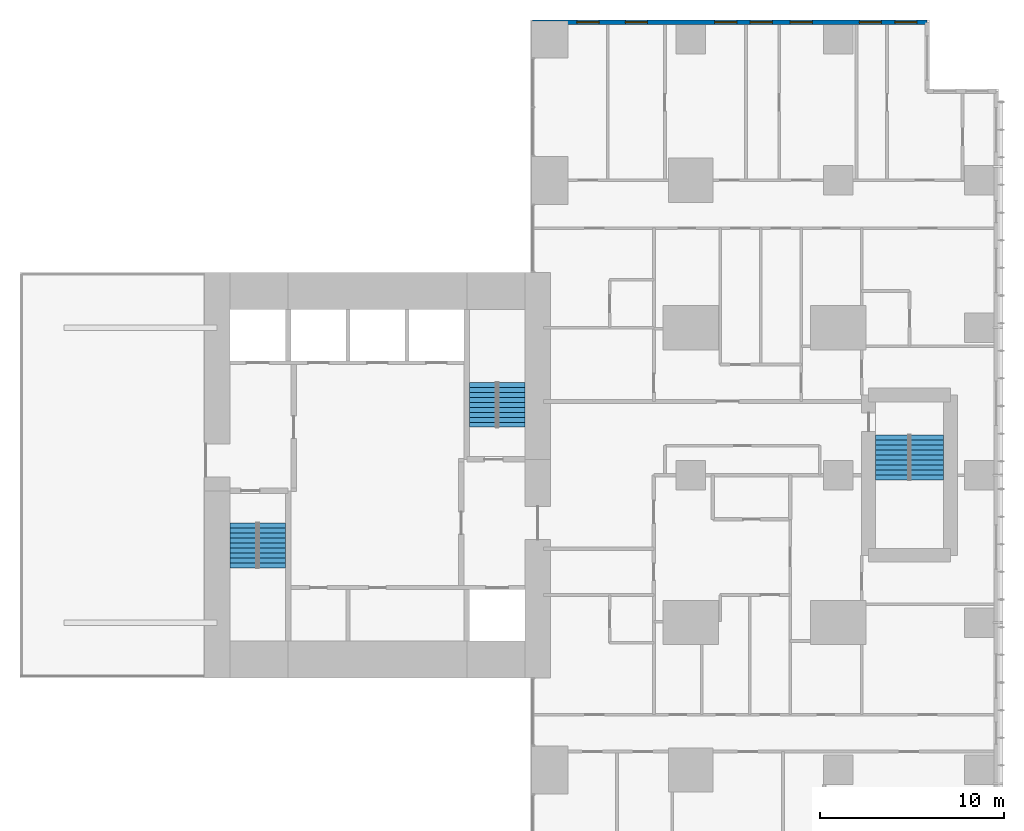
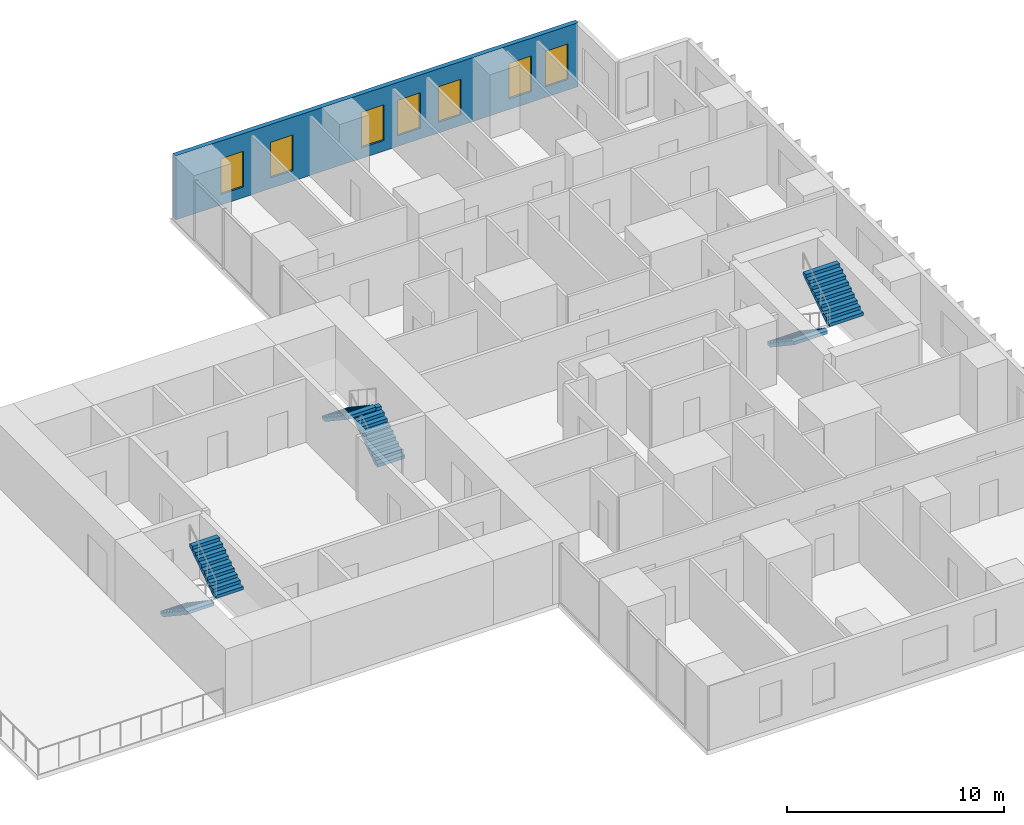
# One storey, part 13 of 14: 7 windows, 6 stair flights, 1 wall, 7 openings, 3 elements without a shape of their own.
"""IFC4 building model written with IfcOpenShell, lengths in metres."""

from ifc_helpers import new_model, si_unit, direction, frame, frame_2d, origin, place, context, subcontext, project, spatial, polyline, rectangle, outline, extrude, material, layer, layer_set, type_object, element, fill, aggregate, save


model = new_model("IFC4")

# Units and contexts
model_context = context("Model", 3, precision=1e-05, world=origin(), true_north=direction((0.0, 1.0)))
body_context = subcontext(model_context, "Body", "Model", "MODEL_VIEW")
ifc_project = project(units=[si_unit("LENGTHUNIT", "METRE"), si_unit("AREAUNIT", "SQUARE_METRE"), si_unit("VOLUMEUNIT", "CUBIC_METRE"), si_unit("PLANEANGLEUNIT", "RADIAN"), si_unit("MASSUNIT", "GRAM", prefix="KILO")], contexts=[model_context])

# Site, building, storey
site_placement = place(None, origin())
site = spatial("IfcSite", under=ifc_project, at=site_placement, CompositionType="ELEMENT")
building_placement = place(site_placement, origin())
building = spatial("IfcBuilding", under=site, at=building_placement, Name="Cleftline Residences", CompositionType="ELEMENT")
storey_placement = place(building_placement, frame((0.0, 0.0, 230.39990234375)))
storey = spatial("IfcBuildingStorey", under=building, at=storey_placement, Name="L60", CompositionType="ELEMENT", Elevation=230.39990234375)

# Wall, openings, windows
ifc_material_1 = material(Name="Rendered reinforced concrete blockwork", Category="masonry")
ifc_layer = layer(ifc_material_1, 0.25)
ifc_layer_set = layer_set([ifc_layer], Name="EXTERNAL WALL 250")
wall_type = type_object("IfcWallType", Name="EXTERNAL WALL 250", PredefinedType="SOLIDWALL", material=ifc_layer_set)
wall_placement = place(storey_placement, frame((62.824951171875, 48.574951171875, 0.0), z_axis=(0.0, 0.0, 1.0), x_axis=(-1.0, 0.0, 0.0)))
wall = element("IfcWall", 1, at=wall_placement, inside=storey, type_object=wall_type, Name="External wall", PredefinedType="SOLIDWALL", context=body_context, shape_type="SweptSolid", body=[
    extrude(rectangle(XDim=21.39990234375, YDim=0.25, at=frame_2d((10.699951171875, 0.0))), origin(), (0.0, 0.0, 1.0), 3.60009765625),
])
opening_1_placement = place(wall_placement, frame((0.550048828125, 0.0, 0.60009765625)))
opening_1 = element("IfcOpeningElement", 2, at=opening_1_placement, cuts=wall, Name="Opening W8", PredefinedType="OPENING", context=body_context, shape_type="SweptSolid", body=[
    extrude(rectangle(XDim=1.199951171875, YDim=2.0, at=frame_2d((0.60009765625, 1.0))), frame((0.0, 0.135009765625, 0.0), z_axis=(0.0, -1.0, 0.0), x_axis=(1.0, 0.0, 0.0)), (0.0, 0.0, 1.0), 0.27001953125),
])
opening_2_placement = place(wall_placement, frame((2.47509765625, 0.0, 0.60009765625)))
opening_2 = element("IfcOpeningElement", 3, at=opening_2_placement, cuts=wall, Name="Opening W8", PredefinedType="OPENING", context=body_context, shape_type="SweptSolid", body=[
    extrude(rectangle(XDim=1.199951171875, YDim=2.0, at=frame_2d((0.60009765625, 1.0))), frame((0.0, 0.135009765625, 0.0), z_axis=(0.0, -1.0, 0.0), x_axis=(1.0, 0.0, 0.0)), (0.0, 0.0, 1.0), 0.27001953125),
])
opening_3_placement = place(wall_placement, frame((6.22509765625, 0.0, 0.60009765625)))
opening_3 = element("IfcOpeningElement", 4, at=opening_3_placement, cuts=wall, Name="Opening W8", PredefinedType="OPENING", context=body_context, shape_type="SweptSolid", body=[
    extrude(rectangle(XDim=1.199951171875, YDim=2.0, at=frame_2d((0.60009765625, 1.0))), frame((0.0, 0.135009765625, 0.0), z_axis=(0.0, -1.0, 0.0), x_axis=(1.0, 0.0, 0.0)), (0.0, 0.0, 1.0), 0.27001953125),
])
opening_4_placement = place(wall_placement, frame((8.39990234375, 0.0, 0.60009765625)))
opening_4 = element("IfcOpeningElement", 5, at=opening_4_placement, cuts=wall, Name="Opening W8", PredefinedType="OPENING", context=body_context, shape_type="SweptSolid", body=[
    extrude(rectangle(XDim=1.199951171875, YDim=2.0, at=frame_2d((0.60009765625, 1.0))), frame((0.0, 0.135009765625, 0.0), z_axis=(0.0, -1.0, 0.0), x_axis=(1.0, 0.0, 0.0)), (0.0, 0.0, 1.0), 0.27001953125),
])
opening_5_placement = place(wall_placement, frame((10.324951171875, 0.0, 0.60009765625)))
opening_5 = element("IfcOpeningElement", 6, at=opening_5_placement, cuts=wall, Name="Opening W8", PredefinedType="OPENING", context=body_context, shape_type="SweptSolid", body=[
    extrude(rectangle(XDim=1.199951171875, YDim=2.0, at=frame_2d((0.60009765625, 1.0))), frame((0.0, 0.135009765625, 0.0), z_axis=(0.0, -1.0, 0.0), x_axis=(1.0, 0.0, 0.0)), (0.0, 0.0, 1.0), 0.27001953125),
])
opening_6_placement = place(wall_placement, frame((15.175048828125, 0.0, 0.60009765625)))
opening_6 = element("IfcOpeningElement", 7, at=opening_6_placement, cuts=wall, Name="Opening W8", PredefinedType="OPENING", context=body_context, shape_type="SweptSolid", body=[
    extrude(rectangle(XDim=1.199951171875, YDim=2.0, at=frame_2d((0.60009765625, 1.0))), frame((0.0, 0.135009765625, 0.0), z_axis=(0.0, -1.0, 0.0), x_axis=(1.0, 0.0, 0.0)), (0.0, 0.0, 1.0), 0.27001953125),
])
opening_7_placement = place(wall_placement, frame((17.800048828125, 0.0, 0.60009765625)))
opening_7 = element("IfcOpeningElement", 8, at=opening_7_placement, cuts=wall, Name="Opening W8", PredefinedType="OPENING", context=body_context, shape_type="SweptSolid", body=[
    extrude(rectangle(XDim=1.199951171875, YDim=2.0, at=frame_2d((0.60009765625, 1.0))), frame((0.0, 0.135009765625, 0.0), z_axis=(0.0, -1.0, 0.0), x_axis=(1.0, 0.0, 0.0)), (0.0, 0.0, 1.0), 0.27001953125),
])
ifc_material_2 = material(Name="Aluminium frame, clear double glazing", Category="aluminium")
window_type = type_object("IfcWindowType", Name="WINDOW 1200X2000", PartitioningType="DOUBLE_PANEL_VERTICAL", PredefinedType="WINDOW", material=ifc_material_2)
window_1_placement = place(opening_1_placement, origin())
window_1 = element("IfcWindow", 9, at=window_1_placement, inside=storey, type_object=window_type, Name="Window", OverallHeight=2.0, OverallWidth=1.199951171875, PartitioningType="SINGLE_PANEL", PredefinedType="WINDOW", context=body_context, shape_type="SweptSolid", body=[
    extrude(rectangle(XDim=1.199951171875, YDim=2.0, at=frame_2d((0.60009765625, 1.0))), frame((0.0, 0.030029296875, 0.0), z_axis=(0.0, -1.0, 0.0), x_axis=(1.0, 0.0, 0.0)), (0.0, 0.0, 1.0), 0.06005859375),
])
fill(opening_1, window_1)
window_2_placement = place(opening_2_placement, origin())
window_2 = element("IfcWindow", 10, at=window_2_placement, inside=storey, type_object=window_type, Name="Window", OverallHeight=2.0, OverallWidth=1.199951171875, PartitioningType="SINGLE_PANEL", PredefinedType="WINDOW", context=body_context, shape_type="SweptSolid", body=[
    extrude(rectangle(XDim=1.199951171875, YDim=2.0, at=frame_2d((0.60009765625, 1.0))), frame((0.0, 0.030029296875, 0.0), z_axis=(0.0, -1.0, 0.0), x_axis=(1.0, 0.0, 0.0)), (0.0, 0.0, 1.0), 0.06005859375),
])
fill(opening_2, window_2)
window_3_placement = place(opening_3_placement, origin())
window_3 = element("IfcWindow", 11, at=window_3_placement, inside=storey, type_object=window_type, Name="Window", OverallHeight=2.0, OverallWidth=1.199951171875, PartitioningType="SINGLE_PANEL", PredefinedType="WINDOW", context=body_context, shape_type="SweptSolid", body=[
    extrude(rectangle(XDim=1.199951171875, YDim=2.0, at=frame_2d((0.60009765625, 1.0))), frame((0.0, 0.030029296875, 0.0), z_axis=(0.0, -1.0, 0.0), x_axis=(1.0, 0.0, 0.0)), (0.0, 0.0, 1.0), 0.06005859375),
])
fill(opening_3, window_3)
window_4_placement = place(opening_4_placement, origin())
window_4 = element("IfcWindow", 12, at=window_4_placement, inside=storey, type_object=window_type, Name="Window", OverallHeight=2.0, OverallWidth=1.199951171875, PartitioningType="SINGLE_PANEL", PredefinedType="WINDOW", context=body_context, shape_type="SweptSolid", body=[
    extrude(rectangle(XDim=1.199951171875, YDim=2.0, at=frame_2d((0.60009765625, 1.0))), frame((0.0, 0.030029296875, 0.0), z_axis=(0.0, -1.0, 0.0), x_axis=(1.0, 0.0, 0.0)), (0.0, 0.0, 1.0), 0.06005859375),
])
fill(opening_4, window_4)
window_5_placement = place(opening_5_placement, origin())
window_5 = element("IfcWindow", 13, at=window_5_placement, inside=storey, type_object=window_type, Name="Window", OverallHeight=2.0, OverallWidth=1.199951171875, PartitioningType="SINGLE_PANEL", PredefinedType="WINDOW", context=body_context, shape_type="SweptSolid", body=[
    extrude(rectangle(XDim=1.199951171875, YDim=2.0, at=frame_2d((0.60009765625, 1.0))), frame((0.0, 0.030029296875, 0.0), z_axis=(0.0, -1.0, 0.0), x_axis=(1.0, 0.0, 0.0)), (0.0, 0.0, 1.0), 0.06005859375),
])
fill(opening_5, window_5)
window_6_placement = place(opening_6_placement, origin())
window_6 = element("IfcWindow", 14, at=window_6_placement, inside=storey, type_object=window_type, Name="Window", OverallHeight=2.0, OverallWidth=1.199951171875, PartitioningType="SINGLE_PANEL", PredefinedType="WINDOW", context=body_context, shape_type="SweptSolid", body=[
    extrude(rectangle(XDim=1.199951171875, YDim=2.0, at=frame_2d((0.60009765625, 1.0))), frame((0.0, 0.030029296875, 0.0), z_axis=(0.0, -1.0, 0.0), x_axis=(1.0, 0.0, 0.0)), (0.0, 0.0, 1.0), 0.06005859375),
])
fill(opening_6, window_6)
window_7_placement = place(opening_7_placement, origin())
window_7 = element("IfcWindow", 15, at=window_7_placement, inside=storey, type_object=window_type, Name="Window", OverallHeight=2.0, OverallWidth=1.199951171875, PartitioningType="SINGLE_PANEL", PredefinedType="WINDOW", context=body_context, shape_type="SweptSolid", body=[
    extrude(rectangle(XDim=1.199951171875, YDim=2.0, at=frame_2d((0.60009765625, 1.0))), frame((0.0, 0.030029296875, 0.0), z_axis=(0.0, -1.0, 0.0), x_axis=(1.0, 0.0, 0.0)), (0.0, 0.0, 1.0), 0.06005859375),
])
fill(opening_7, window_7)

# Stair, stair flights
ifc_material_3 = material(Name="Concrete B45, stone treads", Category="masonry")
stair_type_1 = type_object("IfcStairType", Name="STAIR A 1450 WIDE 180 RISER", PredefinedType="HALF_TURN_STAIR", material=ifc_material_3)
stair_1_placement = place(storey_placement, origin())
stair_1 = element("IfcStair", 16, at=stair_1_placement, inside=storey, type_object=stair_type_1, Name="Stair A L60", PredefinedType="HALF_TURN_STAIR")
ifc_material_4 = material(Name="Concrete B45", Category="concrete")
stair_flight_type_1 = type_object("IfcStairFlightType", Name="STAIR A FLIGHT 1450X180", PredefinedType="STRAIGHT", material=ifc_material_4)
stair_flight_1_placement = place(storey_placement, frame((25.72509765625, 21.39990234375, 0.0), z_axis=(0.0, 0.0, 1.0), x_axis=(0.0, -1.0, 0.0)))
stair_flight_1 = element("IfcStairFlight", 17, at=stair_flight_1_placement, type_object=stair_flight_type_1, Name="ST-A flight 1", NumberOfRisers=10, NumberOfTreads=9, PredefinedType="STRAIGHT", RiserHeight=0.18, TreadLength=0.27, context=body_context, shape_type="SweptSolid", body=[
    extrude(outline(polyline([(0.0, 0.0), (0.0, 0.013916015625), (0.0, 0.027587890625), (0.0, 0.04150390625), (0.0, 0.055419921875), (0.0, 0.0693359375), (0.0, 0.0830078125), (0.0, 0.096923828125), (0.0, 0.11083984375), (0.0, 0.12451171875), (0.0, 0.138427734375), (0.0, 0.15234375), (0.0, 0.166259765625), (0.0, 0.179931640625), (0.27001953125, 0.179931640625), (0.27001953125, 0.360107421875), (0.5400390625, 0.360107421875), (0.5400390625, 0.5400390625), (0.81005859375, 0.5400390625), (0.81005859375, 0.719970703125), (1.080078125, 0.719970703125), (1.080078125, 0.89990234375), (1.35009765625, 0.89990234375), (1.35009765625, 1.080078125), (1.6201171875, 1.080078125), (1.6201171875, 1.260009765625), (1.889892578125, 1.260009765625), (1.889892578125, 1.43994140625), (2.159912109375, 1.43994140625), (2.159912109375, 1.6201171875), (2.429931640625, 1.6201171875), (2.429931640625, 1.800048828125), (2.429931640625, 1.772216796875), (2.429931640625, 1.74462890625), (2.429931640625, 1.716796875), (2.429931640625, 1.689208984375), (2.429931640625, 1.661376953125), (2.429931640625, 1.6337890625), (2.429931640625, 1.60595703125), (2.429931640625, 1.578369140625), (2.429931640625, 1.550537109375), (2.429931640625, 1.52294921875), (2.429931640625, 1.495361328125), (2.429931640625, 1.467529296875), (2.429931640625, 1.43994140625), (0.270263671875, 0.0), (0.0, 0.0)])), frame((0.0, 0.72509765625, 0.0), z_axis=(0.0, -1.0, 0.0), x_axis=(1.0, 0.0, 0.0)), (0.0, 0.0, 1.0), 1.449951171875),
])
stair_flight_2_placement = place(storey_placement, frame((27.27490234375, 18.969970703125, 1.800048828125), z_axis=(0.0, 0.0, 1.0), x_axis=(0.0, 1.0, 0.0)))
stair_flight_2 = element("IfcStairFlight", 18, at=stair_flight_2_placement, type_object=stair_flight_type_1, Name="ST-A flight 2", NumberOfRisers=10, NumberOfTreads=9, PredefinedType="STRAIGHT", RiserHeight=0.18, TreadLength=0.27, context=body_context, shape_type="SweptSolid", body=[
    extrude(outline(polyline([(0.0, 0.0), (0.0, 0.013916015625), (0.0, 0.027587890625), (0.0, 0.04150390625), (0.0, 0.055419921875), (0.0, 0.0693359375), (0.0, 0.0830078125), (0.0, 0.096923828125), (0.0, 0.11083984375), (0.0, 0.12451171875), (0.0, 0.138427734375), (0.0, 0.15234375), (0.0, 0.166259765625), (0.0, 0.179931640625), (0.27001953125, 0.179931640625), (0.27001953125, 0.360107421875), (0.5400390625, 0.360107421875), (0.5400390625, 0.5400390625), (0.81005859375, 0.5400390625), (0.81005859375, 0.719970703125), (1.080078125, 0.719970703125), (1.080078125, 0.89990234375), (1.35009765625, 0.89990234375), (1.35009765625, 1.080078125), (1.6201171875, 1.080078125), (1.6201171875, 1.260009765625), (1.889892578125, 1.260009765625), (1.889892578125, 1.43994140625), (2.159912109375, 1.43994140625), (2.159912109375, 1.6201171875), (2.429931640625, 1.6201171875), (2.429931640625, 1.800048828125), (2.429931640625, 1.772216796875), (2.429931640625, 1.74462890625), (2.429931640625, 1.716796875), (2.429931640625, 1.689208984375), (2.429931640625, 1.661376953125), (2.429931640625, 1.6337890625), (2.429931640625, 1.60595703125), (2.429931640625, 1.578369140625), (2.429931640625, 1.550537109375), (2.429931640625, 1.52294921875), (2.429931640625, 1.495361328125), (2.429931640625, 1.467529296875), (2.429931640625, 1.43994140625), (0.270263671875, 0.0), (0.0, 0.0)])), frame((0.0, 0.72509765625, 0.0), z_axis=(0.0, -1.0, 0.0), x_axis=(1.0, 0.0, 0.0)), (0.0, 0.0, 1.0), 1.449951171875),
])
aggregate(stair_1, [stair_flight_1, stair_flight_2])

ifc_material_5 = material(Name="Concrete B45, stone treads", Category="masonry")
stair_type_2 = type_object("IfcStairType", Name="STAIR B 1450 WIDE 180 RISER", PredefinedType="HALF_TURN_STAIR", material=ifc_material_5)
stair_2_placement = place(storey_placement, origin())
stair_2 = element("IfcStair", 19, at=stair_2_placement, inside=storey, type_object=stair_type_2, Name="Stair B L60", PredefinedType="HALF_TURN_STAIR")
ifc_material_6 = material(Name="Concrete B45", Category="concrete")
stair_flight_type_2 = type_object("IfcStairFlightType", Name="STAIR B FLIGHT 1450X180", PredefinedType="STRAIGHT", material=ifc_material_6)
stair_flight_3_placement = place(storey_placement, frame((40.27490234375, 26.60009765625, 0.0), z_axis=(0.0, 0.0, 1.0), x_axis=(0.0, 1.0, 0.0)))
stair_flight_3 = element("IfcStairFlight", 20, at=stair_flight_3_placement, type_object=stair_flight_type_2, Name="ST-B flight 1", NumberOfRisers=10, NumberOfTreads=9, PredefinedType="STRAIGHT", RiserHeight=0.18, TreadLength=0.27, context=body_context, shape_type="SweptSolid", body=[
    extrude(outline(polyline([(0.0, 0.0), (0.0, 0.013916015625), (0.0, 0.027587890625), (0.0, 0.04150390625), (0.0, 0.055419921875), (0.0, 0.0693359375), (0.0, 0.0830078125), (0.0, 0.096923828125), (0.0, 0.11083984375), (0.0, 0.12451171875), (0.0, 0.138427734375), (0.0, 0.15234375), (0.0, 0.166259765625), (0.0, 0.179931640625), (0.27001953125, 0.179931640625), (0.27001953125, 0.360107421875), (0.5400390625, 0.360107421875), (0.5400390625, 0.5400390625), (0.81005859375, 0.5400390625), (0.81005859375, 0.719970703125), (1.080078125, 0.719970703125), (1.080078125, 0.89990234375), (1.35009765625, 0.89990234375), (1.35009765625, 1.080078125), (1.6201171875, 1.080078125), (1.6201171875, 1.260009765625), (1.889892578125, 1.260009765625), (1.889892578125, 1.43994140625), (2.159912109375, 1.43994140625), (2.159912109375, 1.6201171875), (2.429931640625, 1.6201171875), (2.429931640625, 1.800048828125), (2.429931640625, 1.772216796875), (2.429931640625, 1.74462890625), (2.429931640625, 1.716796875), (2.429931640625, 1.689208984375), (2.429931640625, 1.661376953125), (2.429931640625, 1.6337890625), (2.429931640625, 1.60595703125), (2.429931640625, 1.578369140625), (2.429931640625, 1.550537109375), (2.429931640625, 1.52294921875), (2.429931640625, 1.495361328125), (2.429931640625, 1.467529296875), (2.429931640625, 1.43994140625), (0.270263671875, 0.0), (0.0, 0.0)])), frame((0.0, 0.72509765625, 0.0), z_axis=(0.0, -1.0, 0.0), x_axis=(1.0, 0.0, 0.0)), (0.0, 0.0, 1.0), 1.449951171875),
])
stair_flight_4_placement = place(storey_placement, frame((38.72509765625, 29.030029296875, 1.800048828125), z_axis=(0.0, 0.0, 1.0), x_axis=(0.0, -1.0, 0.0)))
stair_flight_4 = element("IfcStairFlight", 21, at=stair_flight_4_placement, type_object=stair_flight_type_2, Name="ST-B flight 2", NumberOfRisers=10, NumberOfTreads=9, PredefinedType="STRAIGHT", RiserHeight=0.18, TreadLength=0.27, context=body_context, shape_type="SweptSolid", body=[
    extrude(outline(polyline([(0.0, 0.0), (0.0, 0.013916015625), (0.0, 0.027587890625), (0.0, 0.04150390625), (0.0, 0.055419921875), (0.0, 0.0693359375), (0.0, 0.0830078125), (0.0, 0.096923828125), (0.0, 0.11083984375), (0.0, 0.12451171875), (0.0, 0.138427734375), (0.0, 0.15234375), (0.0, 0.166259765625), (0.0, 0.179931640625), (0.27001953125, 0.179931640625), (0.27001953125, 0.360107421875), (0.5400390625, 0.360107421875), (0.5400390625, 0.5400390625), (0.81005859375, 0.5400390625), (0.81005859375, 0.719970703125), (1.080078125, 0.719970703125), (1.080078125, 0.89990234375), (1.35009765625, 0.89990234375), (1.35009765625, 1.080078125), (1.6201171875, 1.080078125), (1.6201171875, 1.260009765625), (1.889892578125, 1.260009765625), (1.889892578125, 1.43994140625), (2.159912109375, 1.43994140625), (2.159912109375, 1.6201171875), (2.429931640625, 1.6201171875), (2.429931640625, 1.800048828125), (2.429931640625, 1.772216796875), (2.429931640625, 1.74462890625), (2.429931640625, 1.716796875), (2.429931640625, 1.689208984375), (2.429931640625, 1.661376953125), (2.429931640625, 1.6337890625), (2.429931640625, 1.60595703125), (2.429931640625, 1.578369140625), (2.429931640625, 1.550537109375), (2.429931640625, 1.52294921875), (2.429931640625, 1.495361328125), (2.429931640625, 1.467529296875), (2.429931640625, 1.43994140625), (0.270263671875, 0.0), (0.0, 0.0)])), frame((0.0, 0.72509765625, 0.0), z_axis=(0.0, -1.0, 0.0), x_axis=(1.0, 0.0, 0.0)), (0.0, 0.0, 1.0), 1.449951171875),
])
aggregate(stair_2, [stair_flight_3, stair_flight_4])

ifc_material_7 = material(Name="Concrete B45, stone treads", Category="masonry")
stair_type_3 = type_object("IfcStairType", Name="STAIR E 1800 WIDE 180 RISER", PredefinedType="HALF_TURN_STAIR", material=ifc_material_7)
stair_3_placement = place(storey_placement, origin())
stair_3 = element("IfcStair", 22, at=stair_3_placement, inside=storey, type_object=stair_type_3, Name="Stair E L60", PredefinedType="HALF_TURN_STAIR")
ifc_material_8 = material(Name="Concrete B45", Category="concrete")
stair_flight_type_3 = type_object("IfcStairFlightType", Name="STAIR E FLIGHT 1800X180", PredefinedType="STRAIGHT", material=ifc_material_8)
stair_flight_5_placement = place(storey_placement, frame((60.925048828125, 26.175048828125, 0.0), z_axis=(0.0, 0.0, 1.0), x_axis=(0.0, -1.0, 0.0)))
stair_flight_5 = element("IfcStairFlight", 23, at=stair_flight_5_placement, type_object=stair_flight_type_3, Name="ST-E flight 1", NumberOfRisers=10, NumberOfTreads=9, PredefinedType="STRAIGHT", RiserHeight=0.18, TreadLength=0.27, context=body_context, shape_type="SweptSolid", body=[
    extrude(outline(polyline([(0.0, 0.0), (0.0, 0.013916015625), (0.0, 0.027587890625), (0.0, 0.04150390625), (0.0, 0.055419921875), (0.0, 0.0693359375), (0.0, 0.0830078125), (0.0, 0.096923828125), (0.0, 0.11083984375), (0.0, 0.12451171875), (0.0, 0.138427734375), (0.0, 0.15234375), (0.0, 0.166259765625), (0.0, 0.179931640625), (0.27001953125, 0.179931640625), (0.27001953125, 0.360107421875), (0.5400390625, 0.360107421875), (0.5400390625, 0.5400390625), (0.81005859375, 0.5400390625), (0.81005859375, 0.719970703125), (1.080078125, 0.719970703125), (1.080078125, 0.89990234375), (1.35009765625, 0.89990234375), (1.35009765625, 1.080078125), (1.6201171875, 1.080078125), (1.6201171875, 1.260009765625), (1.889892578125, 1.260009765625), (1.889892578125, 1.43994140625), (2.159912109375, 1.43994140625), (2.159912109375, 1.6201171875), (2.429931640625, 1.6201171875), (2.429931640625, 1.800048828125), (2.429931640625, 1.772216796875), (2.429931640625, 1.74462890625), (2.429931640625, 1.716796875), (2.429931640625, 1.689208984375), (2.429931640625, 1.661376953125), (2.429931640625, 1.6337890625), (2.429931640625, 1.60595703125), (2.429931640625, 1.578369140625), (2.429931640625, 1.550537109375), (2.429931640625, 1.52294921875), (2.429931640625, 1.495361328125), (2.429931640625, 1.467529296875), (2.429931640625, 1.43994140625), (0.270263671875, 0.0), (0.0, 0.0)])), frame((0.0, 0.89990234375, 0.0), z_axis=(0.0, -1.0, 0.0), x_axis=(1.0, 0.0, 0.0)), (0.0, 0.0, 1.0), 1.800048828125),
])
stair_flight_6_placement = place(storey_placement, frame((62.824951171875, 23.7451171875, 1.800048828125), z_axis=(0.0, 0.0, 1.0), x_axis=(0.0, 1.0, 0.0)))
stair_flight_6 = element("IfcStairFlight", 24, at=stair_flight_6_placement, type_object=stair_flight_type_3, Name="ST-E flight 2", NumberOfRisers=10, NumberOfTreads=9, PredefinedType="STRAIGHT", RiserHeight=0.18, TreadLength=0.27, context=body_context, shape_type="SweptSolid", body=[
    extrude(outline(polyline([(0.0, 0.0), (0.0, 0.013916015625), (0.0, 0.027587890625), (0.0, 0.04150390625), (0.0, 0.055419921875), (0.0, 0.0693359375), (0.0, 0.0830078125), (0.0, 0.096923828125), (0.0, 0.11083984375), (0.0, 0.12451171875), (0.0, 0.138427734375), (0.0, 0.15234375), (0.0, 0.166259765625), (0.0, 0.179931640625), (0.27001953125, 0.179931640625), (0.27001953125, 0.360107421875), (0.5400390625, 0.360107421875), (0.5400390625, 0.5400390625), (0.81005859375, 0.5400390625), (0.81005859375, 0.719970703125), (1.080078125, 0.719970703125), (1.080078125, 0.89990234375), (1.35009765625, 0.89990234375), (1.35009765625, 1.080078125), (1.6201171875, 1.080078125), (1.6201171875, 1.260009765625), (1.889892578125, 1.260009765625), (1.889892578125, 1.43994140625), (2.159912109375, 1.43994140625), (2.159912109375, 1.6201171875), (2.429931640625, 1.6201171875), (2.429931640625, 1.800048828125), (2.429931640625, 1.772216796875), (2.429931640625, 1.74462890625), (2.429931640625, 1.716796875), (2.429931640625, 1.689208984375), (2.429931640625, 1.661376953125), (2.429931640625, 1.6337890625), (2.429931640625, 1.60595703125), (2.429931640625, 1.578369140625), (2.429931640625, 1.550537109375), (2.429931640625, 1.52294921875), (2.429931640625, 1.495361328125), (2.429931640625, 1.467529296875), (2.429931640625, 1.43994140625), (0.270263671875, 0.0), (0.0, 0.0)])), frame((0.0, 0.89990234375, 0.0), z_axis=(0.0, -1.0, 0.0), x_axis=(1.0, 0.0, 0.0)), (0.0, 0.0, 1.0), 1.800048828125),
])
aggregate(stair_3, [stair_flight_5, stair_flight_6])

save(model, "model.ifc")
